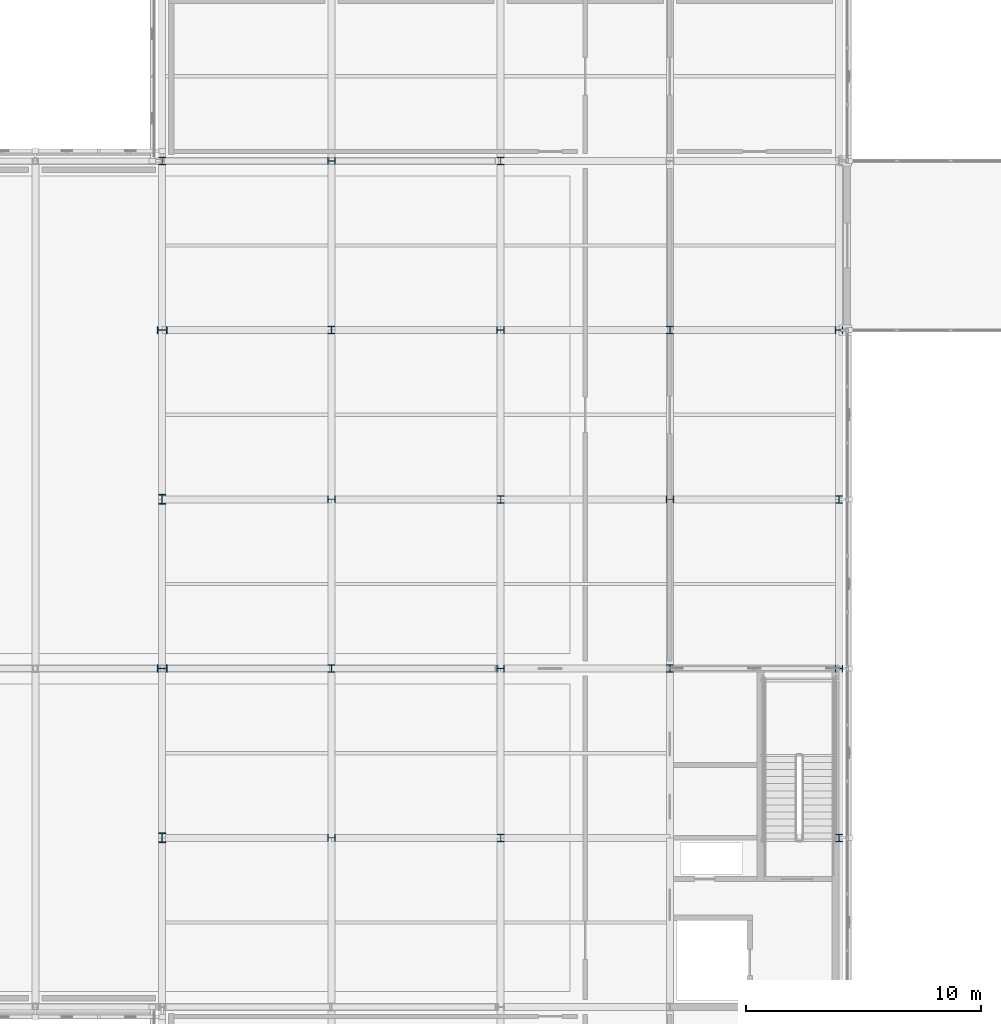
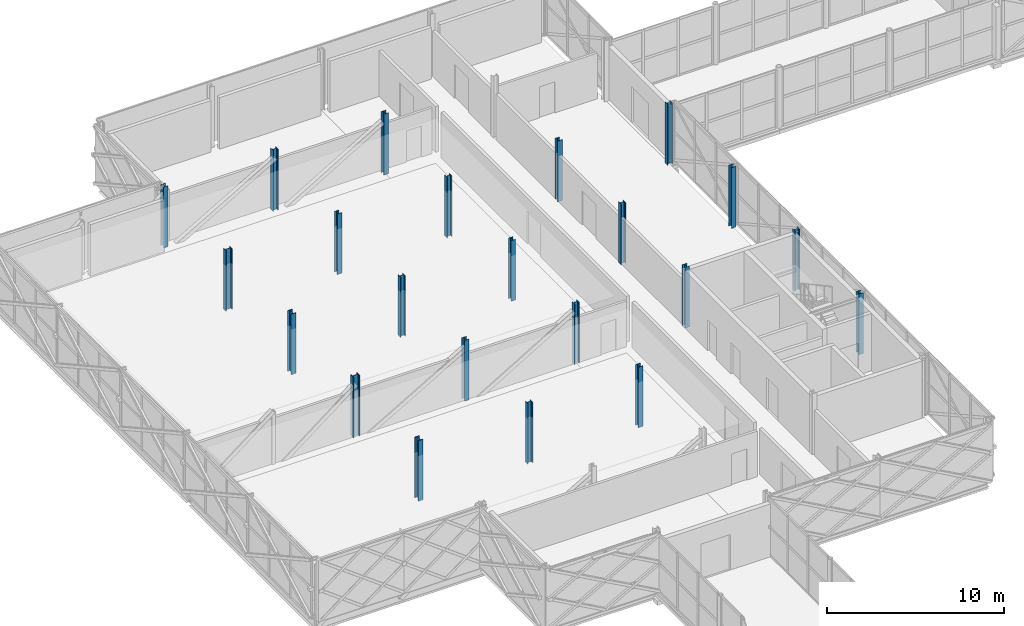
# One storey, part 8 of 126: 22 columns.
"""IFC4 building model written with IfcOpenShell, lengths in metres."""

from ifc_helpers import new_model, si_unit, direction, frame, origin, origin_2d, place, context, subcontext, project, spatial, i_section, extrude, material, material_profile, profile_set, type_object, element, save


model = new_model("IFC4")

# Units and contexts
model_context = context("Model", 3, precision=1e-05, world=origin(), true_north=direction((0.0, 1.0)))
body_context = subcontext(model_context, "Body", "Model", "MODEL_VIEW")
ifc_project = project(units=[si_unit("LENGTHUNIT", "METRE"), si_unit("AREAUNIT", "SQUARE_METRE"), si_unit("VOLUMEUNIT", "CUBIC_METRE"), si_unit("PLANEANGLEUNIT", "RADIAN"), si_unit("MASSUNIT", "GRAM", prefix="KILO")], contexts=[model_context])

# Site, building, storey
site_placement = place(None, origin())
site = spatial("IfcSite", under=ifc_project, at=site_placement, CompositionType="ELEMENT")
building_placement = place(site_placement, origin())
building = spatial("IfcBuilding", under=site, at=building_placement, Name="Zlatovets Crest Museum", CompositionType="ELEMENT")
storey_placement = place(building_placement, frame((0.0, 0.0, 8.699951171875)))
storey = spatial("IfcBuildingStorey", under=building, at=storey_placement, Name="L02", CompositionType="ELEMENT", Elevation=8.699951171875)

# Columns
ifc_material = material(Name="Structural steel S355J2", Category="steel")
ifc_material_profile_1 = material_profile(ifc_material, i_section(OverallWidth=0.306884765625, OverallDepth=0.431884765625, WebThickness=0.02099609375, FlangeThickness=0.0400390625, FilletRadius=0.027099609375, at=origin_2d()), Name="HEM 400")
ifc_profile_set_1 = profile_set([ifc_material_profile_1], Name="Structural steel S355J2")
column_type_1 = type_object("IfcColumnType", Name="Col_C-11", PredefinedType="COLUMN", material=ifc_profile_set_1)
for number, where, z_axis, x_axis, name in (
    (1, (7.199951171875, 64.800048828125, 0.0), (0.0, 0.0, 1.0), (1.0, 0.0, 0.0), "V4 L02 Column (7.2, 64.8)"),
    (2, (7.199951171875, 72.0, 0.0), (0.0, 0.0, 1.0), (0.0, 1.0, 0.0), "V4 L02 Column (7.2, 72.0)"),
    (3, (7.199951171875, 79.199951171875, 0.0), (0.0, 0.0, 1.0), (1.0, 0.0, 0.0), "V4 L02 Column (7.2, 79.2)"),
    (4, (7.199951171875, 86.39990234375, 0.0), (0.0, 0.0, 1.0), (0.0, 1.0, 0.0), "V4 L02 Column (7.2, 86.4)"),
):
    element("IfcColumn", number, at=place(storey_placement, frame(where, z_axis=z_axis, x_axis=x_axis)), inside=storey, type_object=column_type_1, Name=name, PredefinedType="COLUMN", context=body_context, shape_type="SweptSolid", body=[
        extrude(i_section(OverallWidth=0.306884765625, OverallDepth=0.431884765625, WebThickness=0.02099609375, FlangeThickness=0.0400390625, FilletRadius=0.027099609375, at=origin_2d()), origin(), (0.0, 0.0, 1.0), 4.199951171875),
    ])
ifc_material_profile_2 = material_profile(ifc_material, i_section(OverallWidth=0.300048828125, OverallDepth=0.320068359375, WebThickness=0.011474609375, FlangeThickness=0.0205078125, FilletRadius=0.027099609375, at=origin_2d()), Name="HEB 320")
ifc_profile_set_2 = profile_set([ifc_material_profile_2], Name="Structural steel S355J2")
column_type_2 = type_object("IfcColumnType", Name="Col_C-16", PredefinedType="COLUMN", material=ifc_profile_set_2)
for number, where, z_axis, x_axis, name in (
    (5, (7.199951171875, 93.60009765625, 0.0), (0.0, 0.0, 1.0), (1.0, 0.0, 0.0), "V4 L02 Column (7.2, 93.6)"),
    (6, (14.39990234375, 64.800048828125, 0.0), (0.0, 0.0, 1.0), (0.0, 1.0, 0.0), "V4 L02 Column (14.4, 64.8)"),
    (7, (14.39990234375, 72.0, 0.0), (0.0, 0.0, 1.0), (1.0, 0.0, 0.0), "V4 L02 Column (14.4, 72.0)"),
    (8, (14.39990234375, 79.199951171875, 0.0), (0.0, 0.0, 1.0), (0.0, 1.0, 0.0), "V4 L02 Column (14.4, 79.2)"),
    (9, (14.39990234375, 86.39990234375, 0.0), (0.0, 0.0, 1.0), (1.0, 0.0, 0.0), "V4 L02 Column (14.4, 86.4)"),
    (10, (14.39990234375, 93.60009765625, 0.0), (0.0, 0.0, 1.0), (0.0, 1.0, 0.0), "V4 L02 Column (14.4, 93.6)"),
    (11, (21.60009765625, 64.800048828125, 0.0), (0.0, 0.0, 1.0), (1.0, 0.0, 0.0), "V4 L02 Column (21.6, 64.8)"),
    (12, (21.60009765625, 72.0, 0.0), (0.0, 0.0, 1.0), (0.0, 1.0, 0.0), "V4 L02 Column (21.6, 72.0)"),
    (13, (21.60009765625, 79.199951171875, 0.0), (0.0, 0.0, 1.0), (1.0, 0.0, 0.0), "V4 L02 Column (21.6, 79.2)"),
    (14, (21.60009765625, 86.39990234375, 0.0), (0.0, 0.0, 1.0), (0.0, 1.0, 0.0), "V4 L02 Column (21.6, 86.4)"),
    (15, (21.60009765625, 93.60009765625, 0.0), (0.0, 0.0, 1.0), (1.0, 0.0, 0.0), "V4 L02 Column (21.6, 93.6)"),
    (16, (28.800048828125, 72.0, 0.0), (0.0, 0.0, 1.0), (1.0, 0.0, 0.0), "V4 L02 Column (28.8, 72.0)"),
    (17, (28.800048828125, 79.199951171875, 0.0), (0.0, 0.0, 1.0), (0.0, 1.0, 0.0), "V4 L02 Column (28.8, 79.2)"),
    (18, (28.800048828125, 86.39990234375, 0.0), (0.0, 0.0, 1.0), (1.0, 0.0, 0.0), "V4 L02 Column (28.8, 86.4)"),
    (19, (36.0, 64.800048828125, 0.0), (0.0, 0.0, 1.0), (1.0, 0.0, 0.0), "V4 L02 Column (36.0, 64.8)"),
    (20, (36.0, 72.0, 0.0), (0.0, 0.0, 1.0), (0.0, 1.0, 0.0), "V4 L02 Column (36.0, 72.0)"),
    (21, (36.0, 79.199951171875, 0.0), (0.0, 0.0, 1.0), (1.0, 0.0, 0.0), "V4 L02 Column (36.0, 79.2)"),
    (22, (36.0, 86.39990234375, 0.0), (0.0, 0.0, 1.0), (0.0, 1.0, 0.0), "V4 L02 Column (36.0, 86.4)"),
):
    element("IfcColumn", number, at=place(storey_placement, frame(where, z_axis=z_axis, x_axis=x_axis)), inside=storey, type_object=column_type_2, Name=name, PredefinedType="COLUMN", context=body_context, shape_type="SweptSolid", body=[
        extrude(i_section(OverallWidth=0.300048828125, OverallDepth=0.320068359375, WebThickness=0.011474609375, FlangeThickness=0.0205078125, FilletRadius=0.027099609375, at=origin_2d()), origin(), (0.0, 0.0, 1.0), 4.199951171875),
    ])

save(model, "model.ifc")
